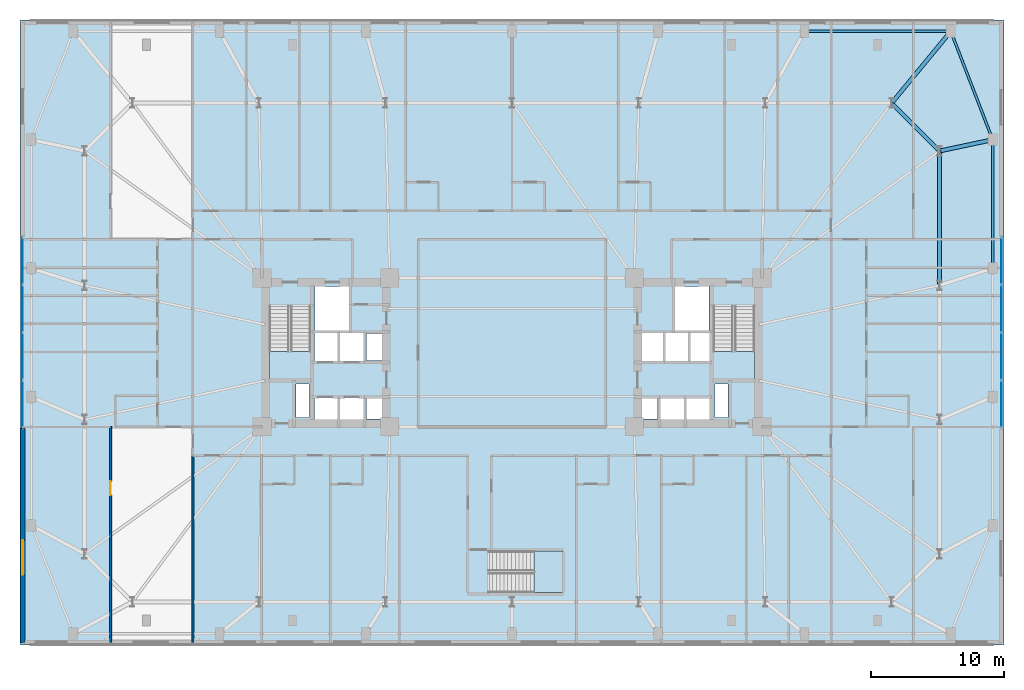
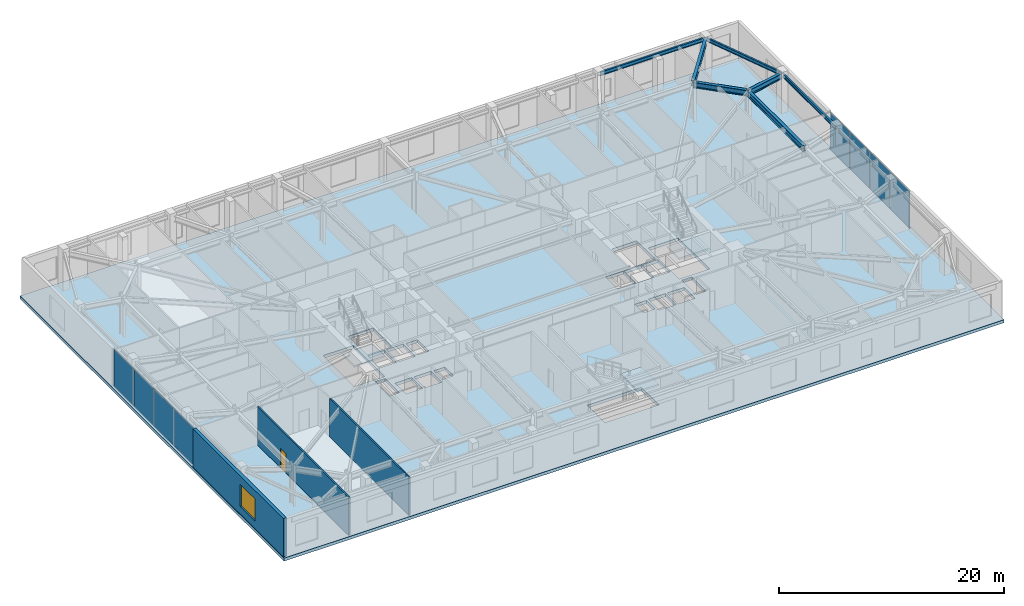
# One storey, part 10 of 21: 8 plates, 7 beams, 4 slabs, 3 walls, 1 door, 1 window, 2 openings, 5 elements without a shape of their own.
"""IFC4 building model written with IfcOpenShell, lengths in metres."""

from ifc_helpers import new_model, si_unit, direction, frame, frame_2d, origin, origin_2d, place, context, subcontext, project, spatial, polyline, rectangle, i_section, outline, extrude, material, layer, layer_set, material_profile, profile_set, type_object, element, fill, aggregate, save


model = new_model("IFC4")

# Units and contexts
model_context = context("Model", 3, precision=1e-05, world=origin(), true_north=direction((0.0, 1.0)))
body_context = subcontext(model_context, "Body", "Model", "MODEL_VIEW")
ifc_project = project(units=[si_unit("LENGTHUNIT", "METRE"), si_unit("AREAUNIT", "SQUARE_METRE"), si_unit("VOLUMEUNIT", "CUBIC_METRE"), si_unit("PLANEANGLEUNIT", "RADIAN"), si_unit("MASSUNIT", "GRAM", prefix="KILO")], contexts=[model_context])

# Site, building, storey
site_placement = place(None, origin())
site = spatial("IfcSite", under=ifc_project, at=site_placement, CompositionType="ELEMENT")
building_placement = place(site_placement, origin())
building = spatial("IfcBuilding", under=site, at=building_placement, Name="Qobustan Lattice House", CompositionType="ELEMENT")
storey_placement = place(building_placement, frame((0.0, 0.0, 18.0)))
storey = spatial("IfcBuildingStorey", under=building, at=storey_placement, Name="L04", CompositionType="ELEMENT", Elevation=18.0)

# Beams
ifc_material_1 = material(Name="Steel S355", Category="steel")
ifc_material_profile_1 = material_profile(ifc_material_1, i_section(OverallWidth=0.300048828125, OverallDepth=0.60009765625, WebThickness=0.015380859375, FlangeThickness=0.030029296875, FilletRadius=0.027099609375, at=origin_2d()), Name="HEB600")
ifc_profile_set_1 = profile_set([ifc_material_profile_1], Name="Steel S355")
beam_type_1 = type_object("IfcBeamType", Name="BM-POD-HEB600", PredefinedType="USERDEFINED", material=ifc_profile_set_1)
beam_1_placement = place(storey_placement, frame((32.14990234375, 5.14990234375, 3.8701171875), z_axis=(0.0, 1.0, 0.0), x_axis=(-1.0, 0.0, 0.0)))
element("IfcBeam", 1, at=beam_1_placement, inside=storey, type_object=beam_type_1, Name="L04 tower base ring girder E3-E4", ObjectType="GIRDER", PredefinedType="USERDEFINED", context=body_context, shape_type="SweptSolid", body=[
    extrude(i_section(OverallWidth=0.300048828125, OverallDepth=0.60009765625, WebThickness=0.015380859375, FlangeThickness=0.030029296875, FilletRadius=0.027099609375, at=origin_2d()), origin(), (0.0, 0.0, 1.0), 9.900146484375),
])
beam_2_placement = place(storey_placement, frame((32.079345703125, 15.220703125, 3.8701171875), z_axis=(-0.70713173775, 0.707081823743, 0.0), x_axis=(-0.707081823743, -0.70713173775, 0.0)))
element("IfcBeam", 2, at=beam_2_placement, inside=storey, type_object=beam_type_1, Name="L04 tower base ring girder E4-N1", ObjectType="GIRDER", PredefinedType="USERDEFINED", context=body_context, shape_type="SweptSolid", body=[
    extrude(i_section(OverallWidth=0.300048828125, OverallDepth=0.60009765625, WebThickness=0.015380859375, FlangeThickness=0.030029296875, FilletRadius=0.027099609375, at=origin_2d()), origin(), (0.0, 0.0, 1.0), 4.89111328125),
])
beam_3_placement = place(storey_placement, frame((32.923583984375, 24.057373046875, 3.8701171875), z_axis=(-0.635954703728, -0.771726385973, 0.0), x_axis=(0.771726385973, -0.635954703728, 0.0)))
element("IfcBeam", 3, at=beam_3_placement, inside=storey, type_object=beam_type_1, Name="L04 podium radial girder PN7", ObjectType="GIRDER", PredefinedType="USERDEFINED", context=body_context, shape_type="SweptSolid", body=[
    extrude(i_section(OverallWidth=0.300048828125, OverallDepth=0.60009765625, WebThickness=0.015380859375, FlangeThickness=0.030029296875, FilletRadius=0.027099609375, at=origin_2d()), origin(), (0.0, 0.0, 1.0), 6.77734375),
])
beam_4_placement = place(storey_placement, frame((36.03271484375, 15.97509765625, 3.8701171875), z_axis=(-0.978163821655, -0.207835362738, 0.0), x_axis=(0.207835362738, -0.978163821655, 0.0)))
element("IfcBeam", 4, at=beam_4_placement, inside=storey, type_object=beam_type_1, Name="L04 podium radial girder PE4", ObjectType="GIRDER", PredefinedType="USERDEFINED", context=body_context, shape_type="SweptSolid", body=[
    extrude(i_section(OverallWidth=0.300048828125, OverallDepth=0.60009765625, WebThickness=0.015380859375, FlangeThickness=0.030029296875, FilletRadius=0.027099609375, at=origin_2d()), origin(), (0.0, 0.0, 1.0), 3.869384765625),
])
ifc_material_2 = material(Name="Steel S355", Category="steel")
ifc_material_profile_2 = material_profile(ifc_material_2, i_section(OverallWidth=0.179931640625, OverallDepth=0.39990234375, WebThickness=0.008544921875, FlangeThickness=0.013427734375, FilletRadius=0.02099609375, at=origin_2d()), Name="IPE400")
ifc_profile_set_2 = profile_set([ifc_material_profile_2], Name="Steel S355")
beam_type_2 = type_object("IfcBeamType", Name="BM-SPD-IPE400", PredefinedType="SPANDREL", material=ifc_profile_set_2)
beam_5_placement = place(storey_placement, frame((22.1201171875, 24.14990234375, 3.969970703125), z_axis=(1.0, 0.0, 0.0), x_axis=(0.0, 1.0, 0.0)))
element("IfcBeam", 5, at=beam_5_placement, inside=storey, type_object=beam_type_2, Name="L04 podium spandrel PN6-PN7", PredefinedType="SPANDREL", context=body_context, shape_type="SweptSolid", body=[
    extrude(i_section(OverallWidth=0.179931640625, OverallDepth=0.39990234375, WebThickness=0.008544921875, FlangeThickness=0.013427734375, FilletRadius=0.02099609375, at=origin_2d()), origin(), (0.0, 0.0, 1.0), 10.759765625),
])
beam_6_placement = place(storey_placement, frame((36.14990234375, 6.453369140625, 3.969970703125), z_axis=(0.0, 1.0, 0.0), x_axis=(-1.0, 0.0, 0.0)))
element("IfcBeam", 6, at=beam_6_placement, inside=storey, type_object=beam_type_2, Name="L04 podium spandrel PE3-PE4", PredefinedType="SPANDREL", context=body_context, shape_type="SweptSolid", body=[
    extrude(i_section(OverallWidth=0.179931640625, OverallDepth=0.39990234375, WebThickness=0.008544921875, FlangeThickness=0.013427734375, FilletRadius=0.02099609375, at=origin_2d()), origin(), (0.0, 0.0, 1.0), 9.4267578125),
])
beam_7_placement = place(storey_placement, frame((33.043212890625, 24.0380859375, 3.969970703125), z_axis=(0.360516886299, -0.932752686779, 0.0), x_axis=(0.932752686779, 0.360516886299, 0.0)))
element("IfcBeam", 7, at=beam_7_placement, inside=storey, type_object=beam_type_2, Name="L04 podium corner tie PN7-PE4", PredefinedType="SPANDREL", context=body_context, shape_type="SweptSolid", body=[
    extrude(i_section(OverallWidth=0.179931640625, OverallDepth=0.39990234375, WebThickness=0.008544921875, FlangeThickness=0.013427734375, FilletRadius=0.02099609375, at=origin_2d()), origin(), (0.0, 0.0, 1.0), 8.49755859375),
])

# Curtain wall, plates
ifc_material_3 = material(Name="Anodised aluminium and low-E glazing", Category="aluminium")
ifc_layer_1 = layer(ifc_material_3, 0.219970703125)
ifc_layer_set_1 = layer_set([ifc_layer_1], Name="Anodised aluminium and low-E glazing")
curtain_wall_type = type_object("IfcCurtainWallType", Name="CW-POD-01", PredefinedType="USERDEFINED", material=ifc_layer_set_1)
curtain_wall_1_placement = place(storey_placement, origin())
curtain_wall_1 = element("IfcCurtainWall", 8, at=curtain_wall_1_placement, inside=storey, type_object=curtain_wall_type, Name="L04 W podium colonnade curtain wall", ObjectType="CURTAIN WALL", PredefinedType="USERDEFINED")
ifc_material_4 = material(Name="Clear low-E laminated glass", Category="glass")
ifc_layer_2 = layer(ifc_material_4, 0.031982421875)
ifc_layer_set_2 = layer_set([ifc_layer_2], Name="Clear low-E laminated glass")
plate_type = type_object("IfcPlateType", Name="CWP-VISION-32", PredefinedType="CURTAIN_PANEL", material=ifc_layer_set_2)
plate_1_placement = place(storey_placement, frame((-36.800048828125, -3.8798828125, 0.06494140625), z_axis=(0.0, 0.0, 1.0), x_axis=(0.0, 1.0, 0.0)))
plate_1 = element("IfcPlate", 9, at=plate_1_placement, type_object=plate_type, Name="CW-P1 panel 1.1", PredefinedType="CURTAIN_PANEL", context=body_context, shape_type="SweptSolid", body=[
    extrude(rectangle(XDim=3.47998046875, YDim=0.031982421875, at=origin_2d()), origin(), (0.0, 0.0, 1.0), 4.0400390625),
])
plate_2_placement = place(storey_placement, frame((-36.800048828125, -0.300048828125, 0.06494140625), z_axis=(0.0, 0.0, 1.0), x_axis=(0.0, 1.0, 0.0)))
plate_2 = element("IfcPlate", 10, at=plate_2_placement, type_object=plate_type, Name="CW-P1 panel 2.1", PredefinedType="CURTAIN_PANEL", context=body_context, shape_type="SweptSolid", body=[
    extrude(rectangle(XDim=3.52001953125, YDim=0.031982421875, at=origin_2d()), origin(), (0.0, 0.0, 1.0), 4.0400390625),
])
plate_3_placement = place(storey_placement, frame((-36.800048828125, 3.300048828125, 0.06494140625), z_axis=(0.0, 0.0, 1.0), x_axis=(0.0, 1.0, 0.0)))
plate_3 = element("IfcPlate", 11, at=plate_3_placement, type_object=plate_type, Name="CW-P1 panel 3.1", PredefinedType="CURTAIN_PANEL", context=body_context, shape_type="SweptSolid", body=[
    extrude(rectangle(XDim=3.52001953125, YDim=0.031982421875, at=origin_2d()), origin(), (0.0, 0.0, 1.0), 4.0400390625),
])
plate_4_placement = place(storey_placement, frame((-36.800048828125, 6.8798828125, 0.06494140625), z_axis=(0.0, 0.0, 1.0), x_axis=(0.0, 1.0, 0.0)))
plate_4 = element("IfcPlate", 12, at=plate_4_placement, type_object=plate_type, Name="CW-P1 panel 4.1", PredefinedType="CURTAIN_PANEL", context=body_context, shape_type="SweptSolid", body=[
    extrude(rectangle(XDim=3.47998046875, YDim=0.031982421875, at=origin_2d()), origin(), (0.0, 0.0, 1.0), 4.0400390625),
])
aggregate(curtain_wall_1, [plate_1, plate_2, plate_3, plate_4])

curtain_wall_2_placement = place(storey_placement, origin())
curtain_wall_2 = element("IfcCurtainWall", 13, at=curtain_wall_2_placement, inside=storey, type_object=curtain_wall_type, Name="L04 E podium colonnade curtain wall", ObjectType="CURTAIN WALL", PredefinedType="USERDEFINED")
plate_5_placement = place(storey_placement, frame((36.800048828125, 6.8798828125, 0.06494140625), z_axis=(0.0, 0.0, 1.0), x_axis=(0.0, -1.0, 0.0)))
plate_5 = element("IfcPlate", 14, at=plate_5_placement, type_object=plate_type, Name="CW-P1 panel 1.1", PredefinedType="CURTAIN_PANEL", context=body_context, shape_type="SweptSolid", body=[
    extrude(rectangle(XDim=3.47998046875, YDim=0.031982421875, at=origin_2d()), origin(), (0.0, 0.0, 1.0), 4.0400390625),
])
plate_6_placement = place(storey_placement, frame((36.800048828125, 3.300048828125, 0.06494140625), z_axis=(0.0, 0.0, 1.0), x_axis=(0.0, -1.0, 0.0)))
plate_6 = element("IfcPlate", 15, at=plate_6_placement, type_object=plate_type, Name="CW-P1 panel 2.1", PredefinedType="CURTAIN_PANEL", context=body_context, shape_type="SweptSolid", body=[
    extrude(rectangle(XDim=3.52001953125, YDim=0.031982421875, at=origin_2d()), origin(), (0.0, 0.0, 1.0), 4.0400390625),
])
plate_7_placement = place(storey_placement, frame((36.800048828125, -0.300048828125, 0.06494140625), z_axis=(0.0, 0.0, 1.0), x_axis=(0.0, -1.0, 0.0)))
plate_7 = element("IfcPlate", 16, at=plate_7_placement, type_object=plate_type, Name="CW-P1 panel 3.1", PredefinedType="CURTAIN_PANEL", context=body_context, shape_type="SweptSolid", body=[
    extrude(rectangle(XDim=3.52001953125, YDim=0.031982421875, at=origin_2d()), origin(), (0.0, 0.0, 1.0), 4.0400390625),
])
plate_8_placement = place(storey_placement, frame((36.800048828125, -3.8798828125, 0.06494140625), z_axis=(0.0, 0.0, 1.0), x_axis=(0.0, -1.0, 0.0)))
plate_8 = element("IfcPlate", 17, at=plate_8_placement, type_object=plate_type, Name="CW-P1 panel 4.1", PredefinedType="CURTAIN_PANEL", context=body_context, shape_type="SweptSolid", body=[
    extrude(rectangle(XDim=3.47998046875, YDim=0.031982421875, at=origin_2d()), origin(), (0.0, 0.0, 1.0), 4.0400390625),
])
aggregate(curtain_wall_2, [plate_5, plate_6, plate_7, plate_8])

# Slab
ifc_material_5 = material(Name="Concrete C45/55", Category="concrete")
ifc_layer_3 = layer(ifc_material_5, 0.330078125)
ifc_layer_set_3 = layer_set([ifc_layer_3], Name="Concrete C45/55")
slab_type_1 = type_object("IfcSlabType", Name="SLB-FLR-330", PredefinedType="FLOOR", material=ifc_layer_set_3)
slab_1_placement = place(storey_placement, frame((0.0, 0.0, -0.330078125)))
element("IfcSlab", 18, at=slab_1_placement, inside=storey, type_object=slab_type_1, Name="L04 structural floor slab", PredefinedType="FLOOR", context=body_context, shape_type="SweptSolid", body=[
    extrude(outline(polyline([(-37.0, -22.0), (37.0, -22.0), (37.0, 25.0), (-37.0, 25.0), (-37.0, -22.0)]), holes=[polyline([(-18.25, -2.050048828125), (-18.25, 3.489990234375), (-15.1298828125, 3.489990234375), (-15.1298828125, -2.050048828125), (-18.25, -2.050048828125)]), polyline([(15.1298828125, -2.050048828125), (15.1298828125, 3.489990234375), (18.25, 3.489990234375), (18.25, -2.050048828125), (15.1298828125, -2.050048828125)]), polyline([(-14.820068359375, 1.64990234375), (-14.820068359375, 4.9599609375), (-12.25, 4.9599609375), (-12.25, 1.64990234375), (-14.820068359375, 1.64990234375)]), polyline([(12.25, 1.64990234375), (12.25, 4.9599609375), (14.820068359375, 4.9599609375), (14.820068359375, 1.64990234375), (12.25, 1.64990234375)]), polyline([(-16.260009765625, -4.8798828125), (-16.260009765625, -2.360107421875), (-15.260009765625, -2.360107421875), (-15.260009765625, -4.8798828125), (-16.260009765625, -4.8798828125)]), polyline([(15.260009765625, -4.8798828125), (15.260009765625, -2.360107421875), (16.260009765625, -2.360107421875), (16.260009765625, -4.8798828125), (15.260009765625, -4.8798828125)]), polyline([(-14.85009765625, -5.35009765625), (-14.85009765625, -3.419921875), (-13.1201171875, -3.419921875), (-13.1201171875, -5.35009765625), (-14.85009765625, -5.35009765625)]), polyline([(-12.919921875, -5.35009765625), (-12.919921875, -3.419921875), (-11.179931640625, -3.419921875), (-11.179931640625, -5.35009765625), (-12.919921875, -5.35009765625)]), polyline([(-14.85009765625, -0.679931640625), (-14.85009765625, 1.47998046875), (-13.1201171875, 1.47998046875), (-13.1201171875, -0.679931640625), (-14.85009765625, -0.679931640625)]), polyline([(-12.919921875, -0.679931640625), (-12.919921875, 1.47998046875), (-11.179931640625, 1.47998046875), (-11.179931640625, -0.679931640625), (-12.919921875, -0.679931640625)]), polyline([(-10.93994140625, -5.0), (-10.93994140625, -3.47998046875), (-9.760009765625, -3.47998046875), (-9.760009765625, -5.0), (-10.93994140625, -5.0)]), polyline([(-10.93994140625, -0.6201171875), (-10.93994140625, 1.419921875), (-9.760009765625, 1.419921875), (-9.760009765625, -0.6201171875), (-10.93994140625, -0.6201171875)]), polyline([(11.179931640625, -5.35009765625), (11.179931640625, -3.419921875), (12.919921875, -3.419921875), (12.919921875, -5.35009765625), (11.179931640625, -5.35009765625)]), polyline([(13.1201171875, -5.35009765625), (13.1201171875, -3.419921875), (14.85009765625, -3.419921875), (14.85009765625, -5.35009765625), (13.1201171875, -5.35009765625)]), polyline([(9.760009765625, -5.0), (9.760009765625, -3.47998046875), (10.93994140625, -3.47998046875), (10.93994140625, -5.0), (9.760009765625, -5.0)]), polyline([(13.360107421875, -0.679931640625), (13.360107421875, 1.47998046875), (14.97998046875, 1.47998046875), (14.97998046875, -0.679931640625), (13.360107421875, -0.679931640625)]), polyline([(9.6201171875, -0.679931640625), (9.6201171875, 1.47998046875), (11.43994140625, 1.47998046875), (11.43994140625, -0.679931640625), (9.6201171875, -0.679931640625)]), polyline([(11.5, -0.679931640625), (11.5, 1.47998046875), (13.320068359375, 1.47998046875), (13.320068359375, -0.679931640625), (11.5, -0.679931640625)]), polyline([(-1.739990234375, -18.06005859375), (-1.739990234375, -14.93994140625), (3.800048828125, -14.93994140625), (3.800048828125, -18.06005859375), (-1.739990234375, -18.06005859375)])]), origin(), (0.0, 0.0, 1.0), 0.330078125),
])

# Stair, slab
ifc_material_6 = material(Name="Concrete C40/50", Category="concrete")
stair_type_1 = type_object("IfcStairType", Name="STR-CORE-DOGLEG", PredefinedType="HALF_TURN_STAIR", material=ifc_material_6)
stair_1_placement = place(storey_placement, origin())
stair_1 = element("IfcStair", 19, at=stair_1_placement, inside=storey, type_object=stair_type_1, Name="L04 West protected exit stair ST-W1", PredefinedType="HALF_TURN_STAIR")
ifc_material_7 = material(Name="Concrete C40/50", Category="concrete")
ifc_layer_4 = layer(ifc_material_7, 0.199951171875)
ifc_layer_set_4 = layer_set([ifc_layer_4], Name="Concrete C40/50")
slab_type_2 = type_object("IfcSlabType", Name="SLB-LANDING-200", PredefinedType="LANDING", material=ifc_layer_set_4)
slab_2_placement = place(storey_placement, frame((0.0, 0.0, 2.050048828125)))
slab_2 = element("IfcSlab", 20, at=slab_2_placement, type_object=slab_type_2, Name="ST-W1 landing 1", PredefinedType="LANDING", context=body_context, shape_type="SweptSolid", body=[
    extrude(outline(polyline([(-18.25, 0.080078125), (-18.25, -2.050048828125), (-15.1298828125, -2.050048828125), (-15.1298828125, 0.080078125), (-18.25, 0.080078125)])), origin(), (0.0, 0.0, 1.0), 0.199951171875),
])
aggregate(stair_1, [slab_2])

stair_2_placement = place(storey_placement, origin())
stair_2 = element("IfcStair", 21, at=stair_2_placement, inside=storey, type_object=stair_type_1, Name="L04 East protected exit stair ST-E1", PredefinedType="HALF_TURN_STAIR")
slab_3_placement = place(storey_placement, frame((0.0, 0.0, 2.050048828125)))
slab_3 = element("IfcSlab", 22, at=slab_3_placement, type_object=slab_type_2, Name="ST-E1 landing 1", PredefinedType="LANDING", context=body_context, shape_type="SweptSolid", body=[
    extrude(outline(polyline([(15.1298828125, 0.080078125), (15.1298828125, -2.050048828125), (18.25, -2.050048828125), (18.25, 0.080078125), (15.1298828125, 0.080078125)])), origin(), (0.0, 0.0, 1.0), 0.199951171875),
])
aggregate(stair_2, [slab_3])

ifc_material_8 = material(Name="Concrete C40/50", Category="concrete")
stair_type_2 = type_object("IfcStairType", Name="STR-POD-DOGLEG", PredefinedType="DOUBLE_RETURN_STAIR", material=ifc_material_8)
stair_3_placement = place(storey_placement, origin())
stair_3 = element("IfcStair", 23, at=stair_3_placement, inside=storey, type_object=stair_type_2, Name="L04 Podium garden exit stair ST-P1", PredefinedType="DOUBLE_RETURN_STAIR")
slab_4_placement = place(storey_placement, frame((0.0, 0.0, 2.050048828125)))
slab_4 = element("IfcSlab", 24, at=slab_4_placement, type_object=slab_type_2, Name="ST-P1 landing 1", PredefinedType="LANDING", context=body_context, shape_type="SweptSolid", body=[
    extrude(outline(polyline([(1.669921875, -18.06005859375), (3.800048828125, -18.06005859375), (3.800048828125, -14.93994140625), (1.669921875, -14.93994140625), (1.669921875, -18.06005859375)])), origin(), (0.0, 0.0, 1.0), 0.199951171875),
])
aggregate(stair_3, [slab_4])

# Wall, opening, window
ifc_material_9 = material(Name="Precast concrete C40/50", Category="concrete")
ifc_layer_5 = layer(ifc_material_9, 0.320068359375)
ifc_layer_set_5 = layer_set([ifc_layer_5], Name="Precast concrete C40/50")
wall_type_1 = type_object("IfcWallType", Name="WAL-EXT-STONE-320", PredefinedType="SOLIDWALL", material=ifc_layer_set_5)
wall_1_placement = place(storey_placement, frame((-36.800048828125, -21.800048828125, 0.0), z_axis=(0.0, 0.0, 1.0), x_axis=(0.0, 1.0, 0.0)))
wall_1 = element("IfcWall", 25, at=wall_1_placement, inside=storey, type_object=wall_type_1, Name="L04 podium stone wall 1A", PredefinedType="SOLIDWALL", context=body_context, shape_type="SweptSolid", body=[
    extrude(rectangle(XDim=16.10009765625, YDim=0.320068359375, at=frame_2d((8.050048828125, 0.0))), origin(), (0.0, 0.0, 1.0), 4.169921875),
])
opening_1_placement = place(wall_1_placement, frame((5.0673828125, 0.0, 0.85009765625)))
opening_1 = element("IfcOpeningElement", 26, at=opening_1_placement, cuts=wall_1, Name="Opening WN-06", PredefinedType="OPENING", context=body_context, shape_type="SweptSolid", body=[
    extrude(rectangle(XDim=2.60009765625, YDim=2.39990234375, at=frame_2d((1.300048828125, 1.199951171875))), frame((0.0, 0.169921875, 0.0), z_axis=(0.0, -1.0, 0.0), x_axis=(1.0, 0.0, 0.0)), (0.0, 0.0, 1.0), 0.340087890625),
])
ifc_material_10 = material(Name="Double-glazed low-E aluminium window", Category="aluminium")
window_type = type_object("IfcWindowType", Name="WIN-POD-2600x2400", PartitioningType="SINGLE_PANEL", PredefinedType="WINDOW", material=ifc_material_10)
window_placement = place(opening_1_placement, origin())
window = element("IfcWindow", 27, at=window_placement, inside=storey, type_object=window_type, Name="L04 Collaborative study room L04WS window", OverallHeight=2.39990234375, OverallWidth=2.60009765625, PartitioningType="SINGLE_PANEL", PredefinedType="WINDOW", context=body_context, shape_type="SweptSolid", body=[
    extrude(rectangle(XDim=2.60009765625, YDim=2.39990234375, at=frame_2d((1.300048828125, 1.199951171875))), frame((0.0, 0.030029296875, 0.0), z_axis=(0.0, -1.0, 0.0), x_axis=(1.0, 0.0, 0.0)), (0.0, 0.0, 1.0), 0.06005859375),
])
fill(opening_1, window)

# Wall, opening, door
ifc_material_11 = material(Name="Acoustic twin-stud gypsum partition", Category="gypsum")
ifc_layer_6 = layer(ifc_material_11, 0.14990234375)
ifc_layer_set_6 = layer_set([ifc_layer_6], Name="Acoustic twin-stud gypsum partition")
wall_type_2 = type_object("IfcWallType", Name="WAL-PART-150", PredefinedType="PARTITIONING", material=ifc_layer_set_6)
wall_2_placement = place(storey_placement, frame((-30.18994140625, -21.800048828125, 0.0), z_axis=(0.0, 0.0, 1.0), x_axis=(0.0, 1.0, 0.0)))
wall_2 = element("IfcWall", 28, at=wall_2_placement, inside=storey, type_object=wall_type_2, Name="L04 interior partition 92", PredefinedType="PARTITIONING", context=body_context, shape_type="SweptSolid", body=[
    extrude(rectangle(XDim=16.199951171875, YDim=0.14990234375, at=frame_2d((8.10009765625, 0.0))), origin(), (0.0, 0.0, 1.0), 4.169921875),
])
opening_2_placement = place(wall_2_placement, frame((11.072509765625, 0.0, 0.0)))
opening_2 = element("IfcOpeningElement", 29, at=opening_2_placement, cuts=wall_2, Name="Opening ID-02", PredefinedType="OPENING", context=body_context, shape_type="SweptSolid", body=[
    extrude(rectangle(XDim=1.050048828125, YDim=2.14990234375, at=frame_2d((0.52490234375, 1.074951171875))), frame((0.0, 0.0849609375, 0.0), z_axis=(0.0, -1.0, 0.0), x_axis=(1.0, 0.0, 0.0)), (0.0, 0.0, 1.0), 0.169921875),
])
ifc_material_12 = material(Name="Persian walnut timber and steel frame door", Category="steel")
door_type = type_object("IfcDoorType", Name="DOR-STUDY-1050x2150", OperationType="NOTDEFINED", PredefinedType="DOOR", material=ifc_material_12)
door_placement = place(opening_2_placement, origin())
door = element("IfcDoor", 30, at=door_placement, inside=storey, type_object=door_type, Name="L04 Reading seminar room L04WS to Collaborative study room L04WS door", OperationType="SINGLE_SWING_LEFT", OverallHeight=2.14990234375, OverallWidth=1.050048828125, PredefinedType="DOOR", context=body_context, shape_type="SweptSolid", body=[
    extrude(rectangle(XDim=1.050048828125, YDim=2.14990234375, at=frame_2d((0.52490234375, 1.074951171875))), frame((0.0, 0.02490234375, 0.0), z_axis=(0.0, -1.0, 0.0), x_axis=(1.0, 0.0, 0.0)), (0.0, 0.0, 1.0), 0.050048828125),
])
fill(opening_2, door)

# Wall
wall_3_placement = place(storey_placement, frame((-24.0, -7.75, 0.0), z_axis=(0.0, 0.0, 1.0), x_axis=(0.0, -1.0, 0.0)))
element("IfcWall", 31, at=wall_3_placement, inside=storey, type_object=wall_type_2, Name="L04 interior partition 94", PredefinedType="PARTITIONING", context=body_context, shape_type="SweptSolid", body=[
    extrude(rectangle(XDim=14.050048828125, YDim=0.14990234375, at=frame_2d((7.02490234375, 0.0))), origin(), (0.0, 0.0, 1.0), 4.169921875),
])

save(model, "model.ifc")
